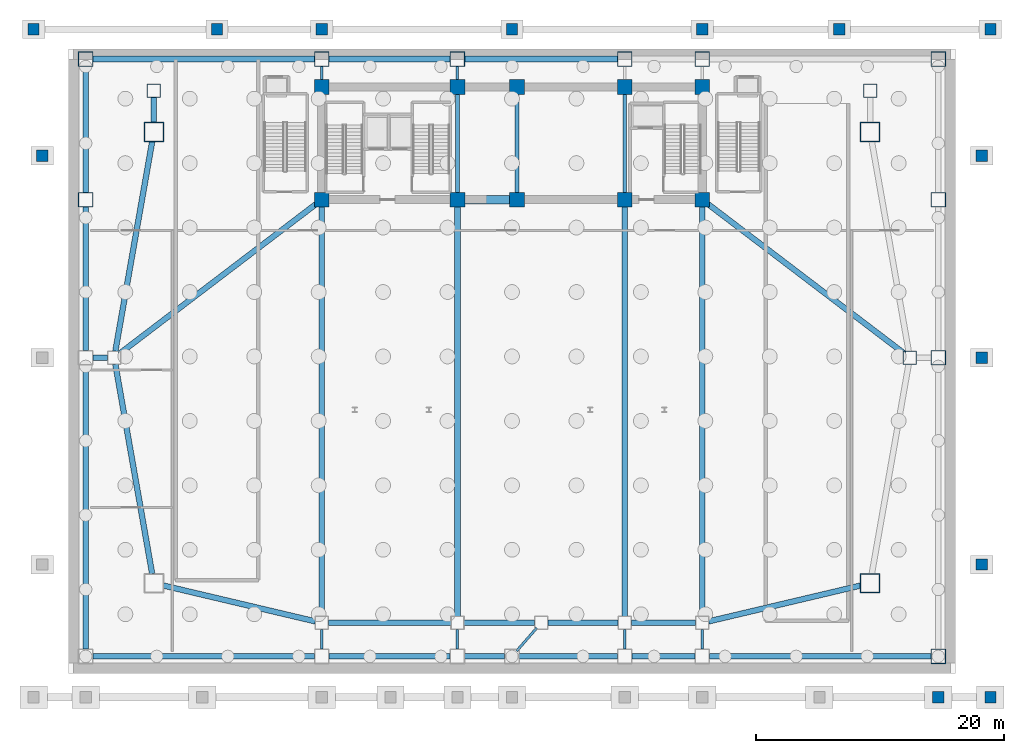
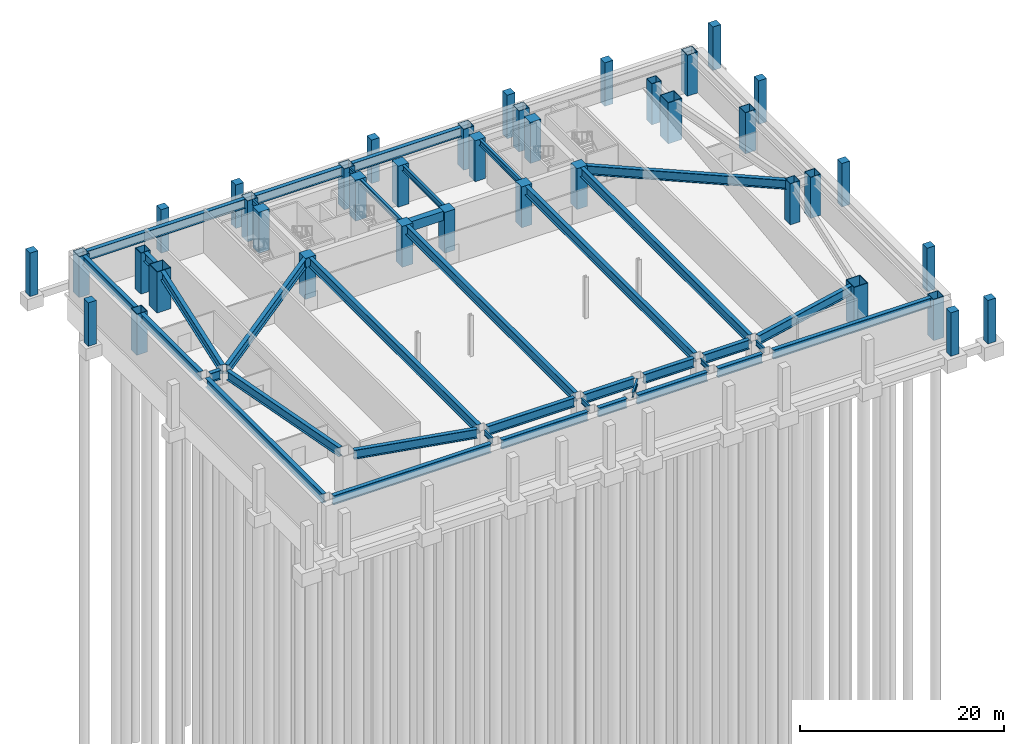
# One storey, part 4 of 10: 39 beams, 39 columns.
"""IFC4 building model written with IfcOpenShell, lengths in metres."""

from ifc_helpers import new_model, si_unit, direction, frame, origin, origin_2d, place, context, subcontext, project, spatial, rectangle, hollow_rectangle, i_section, extrude, source, transform, mapped, material, material_profile, profile_set, type_object, element, save


model = new_model("IFC4")

# Units and contexts
model_context = context("Model", 3, precision=1e-05, world=origin(), true_north=direction((0.0, 1.0)))
body_context = subcontext(model_context, "Body", "Model", "MODEL_VIEW")
ifc_project = project(units=[si_unit("LENGTHUNIT", "METRE"), si_unit("AREAUNIT", "SQUARE_METRE"), si_unit("VOLUMEUNIT", "CUBIC_METRE"), si_unit("PLANEANGLEUNIT", "RADIAN"), si_unit("MASSUNIT", "GRAM", prefix="KILO")], contexts=[model_context])

# Site, building, storey
site_placement = place(None, origin())
site = spatial("IfcSite", under=ifc_project, at=site_placement, CompositionType="ELEMENT")
building_placement = place(site_placement, origin())
building = spatial("IfcBuilding", under=site, at=building_placement, Name="Giltprow Tower", CompositionType="ELEMENT")
storey_placement = place(building_placement, frame((0.0, 0.0, -10.39990234375)))
storey = spatial("IfcBuildingStorey", under=building, at=storey_placement, Name="B02", CompositionType="ELEMENT", Elevation=-10.39990234375)

# Columns
ifc_material_1 = material(Name="Concrete C45", Category="concrete")
ifc_material_profile_1 = material_profile(ifc_material_1, rectangle(XDim=0.89990234375, YDim=0.89990234375, at=origin_2d()), Name="RC 900x900")
ifc_profile_set_1 = profile_set([ifc_material_profile_1], Name="Concrete C45")
column_type_1 = type_object("IfcColumnType", Name="PIL-PIER-RC800", PredefinedType="PILASTER", material=ifc_profile_set_1)
shared_shape_1 = source(origin(), body_context, "Body", "SweptSolid", [
    extrude(rectangle(XDim=0.89990234375, YDim=0.89990234375, at=origin_2d()), origin(), (0.0, 0.0, 1.0), 5.199951171875),
])
for number, where, z_axis, x_axis, name in (
    (1, (69.60009765625, -2.699951171875, 0.0), (0.0, 0.0, 1.0), (1.0, 0.0, 0.0), "Promenade Grade Pier B02-11"),
    (2, (73.800048828125, -2.699951171875, 0.0), (0.0, 0.0, 1.0), (1.0, 0.0, 0.0), "Promenade Grade Pier B02-12"),
    (3, (-2.699951171875, 41.0, 0.0), (0.0, 0.0, 1.0), (1.0, 0.0, 0.0), "W Apron Pier B02-3"),
    (4, (73.10009765625, 8.0, 0.0), (0.0, 0.0, 1.0), (1.0, 0.0, 0.0), "E Apron Pier B02-1"),
    (5, (73.10009765625, 24.699951171875, 0.0), (0.0, 0.0, 1.0), (1.0, 0.0, 0.0), "E Apron Pier B02-2"),
    (6, (73.10009765625, 41.0, 0.0), (0.0, 0.0, 1.0), (1.0, 0.0, 0.0), "E Apron Pier B02-3"),
    (7, (-3.39990234375, 51.199951171875, 0.0), (0.0, 0.0, 1.0), (1.0, 0.0, 0.0), "North Apron Pier B02-01"),
    (8, (11.39990234375, 51.199951171875, 0.0), (0.0, 0.0, 1.0), (1.0, 0.0, 0.0), "North Apron Pier B02-02"),
    (9, (19.85009765625, 51.199951171875, 0.0), (0.0, 0.0, 1.0), (1.0, 0.0, 0.0), "North Apron Pier B02-03"),
    (10, (35.199951171875, 51.199951171875, 0.0), (0.0, 0.0, 1.0), (1.0, 0.0, 0.0), "North Apron Pier B02-04"),
    (11, (50.550048828125, 51.199951171875, 0.0), (0.0, 0.0, 1.0), (1.0, 0.0, 0.0), "North Apron Pier B02-05"),
    (12, (61.60009765625, 51.199951171875, 0.0), (0.0, 0.0, 1.0), (1.0, 0.0, 0.0), "North Apron Pier B02-06"),
    (13, (73.800048828125, 51.199951171875, 0.0), (0.0, 0.0, 1.0), (1.0, 0.0, 0.0), "North Apron Pier B02-07"),
):
    element("IfcColumn", number, at=place(storey_placement, frame(where, z_axis=z_axis, x_axis=x_axis)), inside=storey, type_object=column_type_1, Name=name, PredefinedType="PILASTER", context=body_context, shape_type="MappedRepresentation", body=[
        mapped(shared_shape_1, transform((0.0, 0.0, 0.0), x_axis=(1.0, 0.0, 0.0), y_axis=(0.0, 1.0, 0.0), z_axis=(0.0, 0.0, 1.0), scale=1.0)),
    ])
ifc_material_2 = material(Name="Concrete C60", Category="concrete")
ifc_material_profile_2 = material_profile(ifc_material_2, rectangle(XDim=1.199951171875, YDim=1.199951171875, at=origin_2d()), Name="RC 1200x1200")
ifc_profile_set_2 = profile_set([ifc_material_profile_2], Name="Concrete C60")
column_type_2 = type_object("IfcColumnType", Name="PIL-RC-1200-C60", PredefinedType="PILASTER", material=ifc_profile_set_2)
shared_shape_2 = source(origin(), body_context, "Body", "SweptSolid", [
    extrude(rectangle(XDim=1.199951171875, YDim=1.199951171875, at=origin_2d()), origin(), (0.0, 0.0, 1.0), 4.89990234375),
])
for number, where, z_axis, x_axis, name in (
    (14, (19.85009765625, 37.449951171875, 0.0), (0.0, 0.0, 1.0), (1.0, 0.0, 0.0), "B02 Core Boundary Pilaster 1-1"),
    (15, (19.85009765625, 46.550048828125, 0.0), (0.0, 0.0, 1.0), (1.0, 0.0, 0.0), "B02 Core Boundary Pilaster 1-2"),
    (16, (30.800048828125, 37.449951171875, 0.0), (0.0, 0.0, 1.0), (1.0, 0.0, 0.0), "B02 Core Boundary Pilaster 2-1"),
    (17, (30.800048828125, 46.550048828125, 0.0), (0.0, 0.0, 1.0), (1.0, 0.0, 0.0), "B02 Core Boundary Pilaster 2-2"),
    (18, (35.60009765625, 37.449951171875, 0.0), (0.0, 0.0, 1.0), (1.0, 0.0, 0.0), "B02 Core Boundary Pilaster 3-1"),
    (19, (35.60009765625, 46.550048828125, 0.0), (0.0, 0.0, 1.0), (1.0, 0.0, 0.0), "B02 Core Boundary Pilaster 3-2"),
    (20, (44.300048828125, 37.449951171875, 0.0), (0.0, 0.0, 1.0), (1.0, 0.0, 0.0), "B02 Core Boundary Pilaster 4-1"),
    (21, (44.300048828125, 46.550048828125, 0.0), (0.0, 0.0, 1.0), (1.0, 0.0, 0.0), "B02 Core Boundary Pilaster 4-2"),
    (22, (50.550048828125, 37.449951171875, 0.0), (0.0, 0.0, 1.0), (1.0, 0.0, 0.0), "B02 Core Boundary Pilaster 5-1"),
    (23, (50.550048828125, 46.550048828125, 0.0), (0.0, 0.0, 1.0), (1.0, 0.0, 0.0), "B02 Core Boundary Pilaster 5-2"),
):
    element("IfcColumn", number, at=place(storey_placement, frame(where, z_axis=z_axis, x_axis=x_axis)), inside=storey, type_object=column_type_2, Name=name, PredefinedType="PILASTER", context=body_context, shape_type="MappedRepresentation", body=[
        mapped(shared_shape_2, transform((0.0, 0.0, 0.0), x_axis=(1.0, 0.0, 0.0), y_axis=(0.0, 1.0, 0.0), z_axis=(0.0, 0.0, 1.0), scale=1.0)),
    ])
ifc_material_3 = material(Name="Structural steel Q420GJC", Category="steel")
ifc_material_profile_3 = material_profile(ifc_material_3, hollow_rectangle(XDim=1.60009765625, YDim=1.60009765625, WallThickness=0.074951171875, at=origin_2d()), Name="BOX 1600x1600x75")
ifc_profile_set_3 = profile_set([ifc_material_profile_3], Name="Structural steel Q420GJC")
column_type_3 = type_object("IfcColumnType", Name="COL-BOX-1600x1600x75", PredefinedType="COLUMN", material=ifc_profile_set_3)
shared_shape_3 = source(origin(), body_context, "Body", "SweptSolid", [
    extrude(hollow_rectangle(XDim=1.60009765625, YDim=1.60009765625, WallThickness=0.074951171875, at=origin_2d()), origin(), (0.0, 0.0, 1.0), 4.89990234375),
])
for number, where, z_axis, x_axis, name in (
    (24, (64.10009765625, 6.5, 0.0), (0.0, 0.0, 1.0), (1.0, 0.0, 0.0), "B02 Continuous Tower Column MC_SE"),
    (25, (6.300048828125, 42.89990234375, 0.0), (0.0, 0.0, 1.0), (1.0, 0.0, 0.0), "B02 Continuous Tower Column MC_NW"),
    (26, (64.10009765625, 42.89990234375, 0.0), (0.0, 0.0, 1.0), (1.0, 0.0, 0.0), "B02 Continuous Tower Column MC_NE"),
):
    element("IfcColumn", number, at=place(storey_placement, frame(where, z_axis=z_axis, x_axis=x_axis)), inside=storey, type_object=column_type_3, Name=name, PredefinedType="COLUMN", context=body_context, shape_type="MappedRepresentation", body=[
        mapped(shared_shape_3, transform((0.0, 0.0, 0.0), x_axis=(1.0, 0.0, 0.0), y_axis=(0.0, 1.0, 0.0), z_axis=(0.0, 0.0, 1.0), scale=1.0)),
    ])
ifc_material_profile_4 = material_profile(ifc_material_3, hollow_rectangle(XDim=1.10009765625, YDim=1.10009765625, WallThickness=0.050048828125, at=origin_2d()), Name="BOX 1100x1100x50")
ifc_profile_set_4 = profile_set([ifc_material_profile_4], Name="Structural steel Q420GJC")
column_type_4 = type_object("IfcColumnType", Name="COL-BOX-1100x1100x50", PredefinedType="COLUMN", material=ifc_profile_set_4)
shared_shape_4 = source(origin(), body_context, "Body", "SweptSolid", [
    extrude(hollow_rectangle(XDim=1.10009765625, YDim=1.10009765625, WallThickness=0.050048828125, at=origin_2d()), origin(), (0.0, 0.0, 1.0), 4.89990234375),
])
for number, where, z_axis, x_axis, name in (
    (27, (67.300048828125, 24.699951171875, 0.0), (0.0, 0.0, 1.0), (1.0, 0.0, 0.0), "B02 Continuous Tower Column E_MID"),
    (28, (6.300048828125, 46.25, 0.0), (0.0, 0.0, 1.0), (1.0, 0.0, 0.0), "B02 Continuous Tower Column N_W"),
    (29, (64.10009765625, 46.25, 0.0), (0.0, 0.0, 1.0), (1.0, 0.0, 0.0), "B02 Continuous Tower Column N_E"),
):
    element("IfcColumn", number, at=place(storey_placement, frame(where, z_axis=z_axis, x_axis=x_axis)), inside=storey, type_object=column_type_4, Name=name, PredefinedType="COLUMN", context=body_context, shape_type="MappedRepresentation", body=[
        mapped(shared_shape_4, transform((0.0, 0.0, 0.0), x_axis=(1.0, 0.0, 0.0), y_axis=(0.0, 1.0, 0.0), z_axis=(0.0, 0.0, 1.0), scale=1.0)),
    ])
ifc_material_profile_5 = material_profile(ifc_material_3, hollow_rectangle(XDim=1.199951171875, YDim=1.199951171875, WallThickness=0.054931640625, at=origin_2d()), Name="BOX 1200x1200x55")
ifc_profile_set_5 = profile_set([ifc_material_profile_5], Name="Structural steel Q420GJC")
column_type_5 = type_object("IfcColumnType", Name="COL-BOX-1200x1200x55", PredefinedType="COLUMN", material=ifc_profile_set_5)
shared_shape_5 = source(origin(), body_context, "Body", "SweptSolid", [
    extrude(hollow_rectangle(XDim=1.199951171875, YDim=1.199951171875, WallThickness=0.054931640625, at=origin_2d()), origin(), (0.0, 0.0, 1.0), 4.89990234375),
])
for number, where, z_axis, x_axis, name in (
    (30, (69.60009765625, 0.60009765625, 0.0), (0.0, 0.0, 1.0), (1.0, 0.0, 0.0), "B02 Podium Column (69.6,0.6)"),
    (31, (69.60009765625, 24.699951171875, 0.0), (0.0, 0.0, 1.0), (1.0, 0.0, 0.0), "B02 Podium Column (69.6,24.7)"),
    (32, (0.800048828125, 37.449951171875, 0.0), (0.0, 0.0, 1.0), (1.0, 0.0, 0.0), "B02 Podium Column (0.8,37.5)"),
    (33, (69.60009765625, 37.449951171875, 0.0), (0.0, 0.0, 1.0), (1.0, 0.0, 0.0), "B02 Podium Column (69.6,37.5)"),
    (34, (0.800048828125, 48.800048828125, 0.0), (0.0, 0.0, 1.0), (1.0, 0.0, 0.0), "B02 Podium Column (0.8,48.8)"),
    (35, (19.85009765625, 48.800048828125, 0.0), (0.0, 0.0, 1.0), (1.0, 0.0, 0.0), "B02 Podium Column (19.9,48.8)"),
    (36, (30.800048828125, 48.800048828125, 0.0), (0.0, 0.0, 1.0), (1.0, 0.0, 0.0), "B02 Podium Column (30.8,48.8)"),
    (37, (44.300048828125, 48.800048828125, 0.0), (0.0, 0.0, 1.0), (1.0, 0.0, 0.0), "B02 Podium Column (44.3,48.8)"),
    (38, (50.550048828125, 48.800048828125, 0.0), (0.0, 0.0, 1.0), (1.0, 0.0, 0.0), "B02 Podium Column (50.5,48.8)"),
    (39, (69.60009765625, 48.800048828125, 0.0), (0.0, 0.0, 1.0), (1.0, 0.0, 0.0), "B02 Podium Column (69.6,48.8)"),
):
    element("IfcColumn", number, at=place(storey_placement, frame(where, z_axis=z_axis, x_axis=x_axis)), inside=storey, type_object=column_type_5, Name=name, PredefinedType="COLUMN", context=body_context, shape_type="MappedRepresentation", body=[
        mapped(shared_shape_5, transform((0.0, 0.0, 0.0), x_axis=(1.0, 0.0, 0.0), y_axis=(0.0, 1.0, 0.0), z_axis=(0.0, 0.0, 1.0), scale=1.0)),
    ])

# Beams
ifc_material_profile_6 = material_profile(ifc_material_2, rectangle(XDim=0.699951171875, YDim=1.10009765625, at=origin_2d()), Name="RC 1100x700")
ifc_profile_set_6 = profile_set([ifc_material_profile_6], Name="Concrete C60")
beam_type_1 = type_object("IfcBeamType", Name="BM-CPL-RC1100", PredefinedType="LINTEL", material=ifc_profile_set_6)
shared_shape_6 = source(origin(), body_context, "Body", "SweptSolid", [
    extrude(rectangle(XDim=0.699951171875, YDim=1.10009765625, at=origin_2d()), origin(), (0.0, 0.0, 1.0), 3.6298828125),
])
beam_1_placement = place(storey_placement, frame((31.385009765625, 37.449951171875, 4.349853515625), z_axis=(1.0, 0.0, 0.0), x_axis=(0.0, 1.0, 0.0)))
element("IfcBeam", 40, at=beam_1_placement, inside=storey, type_object=beam_type_1, Name="B02 Core Coupling Beam CB-1", PredefinedType="LINTEL", context=body_context, shape_type="MappedRepresentation", body=[
    mapped(shared_shape_6, transform((0.0, 0.0, 0.0), x_axis=(1.0, 0.0, 0.0), y_axis=(0.0, 1.0, 0.0), z_axis=(0.0, 0.0, 1.0), scale=1.0)),
])
ifc_material_4 = material(Name="Structural steel Q355B", Category="steel")
ifc_material_profile_7 = material_profile(ifc_material_4, i_section(OverallWidth=0.300048828125, OverallDepth=0.699951171875, WebThickness=0.012939453125, FlangeThickness=0.02392578125, at=origin_2d()), Name="HN 700x300x13x24")
ifc_profile_set_7 = profile_set([ifc_material_profile_7], Name="Structural steel Q355B")
beam_type_2 = type_object("IfcBeamType", Name="BM-GIRD-HN700", PredefinedType="BEAM", material=ifc_profile_set_7)
shared_shape_7 = source(origin(), body_context, "Body", "SweptSolid", [
    extrude(i_section(OverallWidth=0.300048828125, OverallDepth=0.699951171875, WebThickness=0.012939453125, FlangeThickness=0.02392578125, at=origin_2d()), origin(), (0.0, 0.0, 1.0), 7.93017578125),
])
for number, where, z_axis, x_axis, name in (
    (41, (30.800048828125, 38.034912109375, 4.5498046875), (0.0, 1.0, 0.0), (-1.0, 0.0, 0.0), "B02 Core Tie Girder M1"),
    (42, (35.60009765625, 38.034912109375, 4.5498046875), (0.0, 1.0, 0.0), (-1.0, 0.0, 0.0), "B02 Core Tie Girder M2"),
    (43, (44.300048828125, 38.034912109375, 4.5498046875), (0.0, 1.0, 0.0), (-1.0, 0.0, 0.0), "B02 Core Tie Girder M3"),
):
    element("IfcBeam", number, at=place(storey_placement, frame(where, z_axis=z_axis, x_axis=x_axis)), inside=storey, type_object=beam_type_2, Name=name, PredefinedType="BEAM", context=body_context, shape_type="MappedRepresentation", body=[
        mapped(shared_shape_7, transform((0.0, 0.0, 0.0), x_axis=(1.0, 0.0, 0.0), y_axis=(0.0, 1.0, 0.0), z_axis=(0.0, 0.0, 1.0), scale=1.0)),
    ])
ifc_material_profile_8 = material_profile(ifc_material_3, i_section(OverallWidth=0.449951171875, OverallDepth=1.10009765625, WebThickness=0.02587890625, FlangeThickness=0.0419921875, at=origin_2d()), Name="WH 1100x450x26x42")
ifc_profile_set_8 = profile_set([ifc_material_profile_8], Name="Structural steel Q420GJC")
beam_type_3 = type_object("IfcBeamType", Name="BM-GIRD-WH1100", PredefinedType="BEAM", material=ifc_profile_set_8)
shared_shape_8 = source(origin(), body_context, "Body", "SweptSolid", [
    extrude(i_section(OverallWidth=0.449951171875, OverallDepth=1.10009765625, WebThickness=0.02587890625, FlangeThickness=0.0419921875, at=origin_2d()), origin(), (0.0, 0.0, 1.0), 17.8798828125),
])
for number, where, z_axis, x_axis, name in (
    (44, (1.385009765625, 0.60009765625, 4.349853515625), (1.0, 0.0, 0.0), (0.0, 1.0, 0.0), "B02 Podium South Edge Girder"),
    (45, (51.135009765625, 0.60009765625, 4.349853515625), (1.0, 0.0, 0.0), (0.0, 1.0, 0.0), "B02 Podium South Edge Girder"),
    (46, (1.385009765625, 48.800048828125, 4.349853515625), (1.0, 0.0, 0.0), (0.0, 1.0, 0.0), "B02 Podium North Edge Girder"),
):
    element("IfcBeam", number, at=place(storey_placement, frame(where, z_axis=z_axis, x_axis=x_axis)), inside=storey, type_object=beam_type_3, Name=name, PredefinedType="BEAM", context=body_context, shape_type="MappedRepresentation", body=[
        mapped(shared_shape_8, transform((0.0, 0.0, 0.0), x_axis=(1.0, 0.0, 0.0), y_axis=(0.0, 1.0, 0.0), z_axis=(0.0, 0.0, 1.0), scale=1.0)),
    ])
shared_shape_9 = source(origin(), body_context, "Body", "SweptSolid", [
    extrude(i_section(OverallWidth=0.449951171875, OverallDepth=1.10009765625, WebThickness=0.02587890625, FlangeThickness=0.0419921875, at=origin_2d()), origin(), (0.0, 0.0, 1.0), 9.780029296875),
])
for number, where, z_axis, x_axis, name in (
    (47, (20.43505859375, 0.60009765625, 4.349853515625), (1.0, 0.0, 0.0), (0.0, 1.0, 0.0), "B02 Podium South Edge Girder"),
    (48, (20.43505859375, 48.800048828125, 4.349853515625), (1.0, 0.0, 0.0), (0.0, 1.0, 0.0), "B02 Podium North Edge Girder"),
):
    element("IfcBeam", number, at=place(storey_placement, frame(where, z_axis=z_axis, x_axis=x_axis)), inside=storey, type_object=beam_type_3, Name=name, PredefinedType="BEAM", context=body_context, shape_type="MappedRepresentation", body=[
        mapped(shared_shape_9, transform((0.0, 0.0, 0.0), x_axis=(1.0, 0.0, 0.0), y_axis=(0.0, 1.0, 0.0), z_axis=(0.0, 0.0, 1.0), scale=1.0)),
    ])
shared_shape_10 = source(origin(), body_context, "Body", "SweptSolid", [
    extrude(i_section(OverallWidth=0.449951171875, OverallDepth=1.10009765625, WebThickness=0.02587890625, FlangeThickness=0.0419921875, at=origin_2d()), origin(), (0.0, 0.0, 1.0), 3.22998046875),
])
beam_2_placement = place(storey_placement, frame((31.385009765625, 0.60009765625, 4.349853515625), z_axis=(1.0, 0.0, 0.0), x_axis=(0.0, 1.0, 0.0)))
element("IfcBeam", 49, at=beam_2_placement, inside=storey, type_object=beam_type_3, Name="B02 Podium South Edge Girder", PredefinedType="BEAM", context=body_context, shape_type="MappedRepresentation", body=[
    mapped(shared_shape_10, transform((0.0, 0.0, 0.0), x_axis=(1.0, 0.0, 0.0), y_axis=(0.0, 1.0, 0.0), z_axis=(0.0, 0.0, 1.0), scale=1.0)),
])
shared_shape_11 = source(origin(), body_context, "Body", "SweptSolid", [
    extrude(i_section(OverallWidth=0.449951171875, OverallDepth=1.10009765625, WebThickness=0.02587890625, FlangeThickness=0.0419921875, at=origin_2d()), origin(), (0.0, 0.0, 1.0), 7.93017578125),
])
beam_3_placement = place(storey_placement, frame((35.784912109375, 0.60009765625, 4.349853515625), z_axis=(1.0, 0.0, 0.0), x_axis=(0.0, 1.0, 0.0)))
element("IfcBeam", 50, at=beam_3_placement, inside=storey, type_object=beam_type_3, Name="B02 Podium South Edge Girder", PredefinedType="BEAM", context=body_context, shape_type="MappedRepresentation", body=[
    mapped(shared_shape_11, transform((0.0, 0.0, 0.0), x_axis=(1.0, 0.0, 0.0), y_axis=(0.0, 1.0, 0.0), z_axis=(0.0, 0.0, 1.0), scale=1.0)),
])
shared_shape_12 = source(origin(), body_context, "Body", "SweptSolid", [
    extrude(i_section(OverallWidth=0.449951171875, OverallDepth=1.10009765625, WebThickness=0.02587890625, FlangeThickness=0.0419921875, at=origin_2d()), origin(), (0.0, 0.0, 1.0), 5.080078125),
])
beam_4_placement = place(storey_placement, frame((44.885009765625, 0.60009765625, 4.349853515625), z_axis=(1.0, 0.0, 0.0), x_axis=(0.0, 1.0, 0.0)))
element("IfcBeam", 51, at=beam_4_placement, inside=storey, type_object=beam_type_3, Name="B02 Podium South Edge Girder", PredefinedType="BEAM", context=body_context, shape_type="MappedRepresentation", body=[
    mapped(shared_shape_12, transform((0.0, 0.0, 0.0), x_axis=(1.0, 0.0, 0.0), y_axis=(0.0, 1.0, 0.0), z_axis=(0.0, 0.0, 1.0), scale=1.0)),
])
shared_shape_13 = source(origin(), body_context, "Body", "SweptSolid", [
    extrude(i_section(OverallWidth=0.449951171875, OverallDepth=1.10009765625, WebThickness=0.02587890625, FlangeThickness=0.0419921875, at=origin_2d()), origin(), (0.0, 0.0, 1.0), 12.330078125),
])
beam_5_placement = place(storey_placement, frame((31.385009765625, 48.800048828125, 4.349853515625), z_axis=(1.0, 0.0, 0.0), x_axis=(0.0, 1.0, 0.0)))
element("IfcBeam", 52, at=beam_5_placement, inside=storey, type_object=beam_type_3, Name="B02 Podium North Edge Girder", PredefinedType="BEAM", context=body_context, shape_type="MappedRepresentation", body=[
    mapped(shared_shape_13, transform((0.0, 0.0, 0.0), x_axis=(1.0, 0.0, 0.0), y_axis=(0.0, 1.0, 0.0), z_axis=(0.0, 0.0, 1.0), scale=1.0)),
])
shared_shape_14 = source(origin(), body_context, "Body", "SweptSolid", [
    extrude(i_section(OverallWidth=0.449951171875, OverallDepth=1.10009765625, WebThickness=0.02587890625, FlangeThickness=0.0419921875, at=origin_2d()), origin(), (0.0, 0.0, 1.0), 22.929931640625),
])
beam_6_placement = place(storey_placement, frame((0.800048828125, 1.18505859375, 4.349853515625), z_axis=(0.0, 1.0, 0.0), x_axis=(-1.0, 0.0, 0.0)))
element("IfcBeam", 53, at=beam_6_placement, inside=storey, type_object=beam_type_3, Name="B02 Podium Side Girder", PredefinedType="BEAM", context=body_context, shape_type="MappedRepresentation", body=[
    mapped(shared_shape_14, transform((0.0, 0.0, 0.0), x_axis=(1.0, 0.0, 0.0), y_axis=(0.0, 1.0, 0.0), z_axis=(0.0, 0.0, 1.0), scale=1.0)),
])
shared_shape_15 = source(origin(), body_context, "Body", "SweptSolid", [
    extrude(i_section(OverallWidth=0.449951171875, OverallDepth=1.10009765625, WebThickness=0.02587890625, FlangeThickness=0.0419921875, at=origin_2d()), origin(), (0.0, 0.0, 1.0), 11.580078125),
])
beam_7_placement = place(storey_placement, frame((0.800048828125, 25.284912109375, 4.349853515625), z_axis=(0.0, 1.0, 0.0), x_axis=(-1.0, 0.0, 0.0)))
element("IfcBeam", 54, at=beam_7_placement, inside=storey, type_object=beam_type_3, Name="B02 Podium Side Girder", PredefinedType="BEAM", context=body_context, shape_type="MappedRepresentation", body=[
    mapped(shared_shape_15, transform((0.0, 0.0, 0.0), x_axis=(1.0, 0.0, 0.0), y_axis=(0.0, 1.0, 0.0), z_axis=(0.0, 0.0, 1.0), scale=1.0)),
])
shared_shape_16 = source(origin(), body_context, "Body", "SweptSolid", [
    extrude(i_section(OverallWidth=0.449951171875, OverallDepth=1.10009765625, WebThickness=0.02587890625, FlangeThickness=0.0419921875, at=origin_2d()), origin(), (0.0, 0.0, 1.0), 10.18017578125),
])
beam_8_placement = place(storey_placement, frame((0.800048828125, 38.034912109375, 4.349853515625), z_axis=(0.0, 1.0, 0.0), x_axis=(-1.0, 0.0, 0.0)))
element("IfcBeam", 55, at=beam_8_placement, inside=storey, type_object=beam_type_3, Name="B02 Podium Side Girder", PredefinedType="BEAM", context=body_context, shape_type="MappedRepresentation", body=[
    mapped(shared_shape_16, transform((0.0, 0.0, 0.0), x_axis=(1.0, 0.0, 0.0), y_axis=(0.0, 1.0, 0.0), z_axis=(0.0, 0.0, 1.0), scale=1.0)),
])
shared_shape_17 = source(origin(), body_context, "Body", "SweptSolid", [
    extrude(i_section(OverallWidth=0.449951171875, OverallDepth=1.10009765625, WebThickness=0.02587890625, FlangeThickness=0.0419921875, at=origin_2d()), origin(), (0.0, 0.0, 1.0), 12.6025390625),
])
beam_9_placement = place(storey_placement, frame((7.06396484375, 6.320068359375, 4.349853515625), z_axis=(0.973221185684, -0.22987066741, 0.0), x_axis=(0.22987066741, 0.973221185684, 0.0)))
element("IfcBeam", 56, at=beam_9_placement, inside=storey, type_object=beam_type_3, Name="B02 Tower Base Ring Girder 1", PredefinedType="BEAM", context=body_context, shape_type="MappedRepresentation", body=[
    mapped(shared_shape_17, transform((0.0, 0.0, 0.0), x_axis=(1.0, 0.0, 0.0), y_axis=(0.0, 1.0, 0.0), z_axis=(0.0, 0.0, 1.0), scale=1.0)),
])
shared_shape_18 = source(origin(), body_context, "Body", "SweptSolid", [
    extrude(i_section(OverallWidth=0.449951171875, OverallDepth=1.10009765625, WebThickness=0.02587890625, FlangeThickness=0.0419921875, at=origin_2d()), origin(), (0.0, 0.0, 1.0), 9.8798828125),
])
beam_10_placement = place(storey_placement, frame((20.385009765625, 3.300048828125, 4.349853515625), z_axis=(1.0, 0.0, 0.0), x_axis=(0.0, 1.0, 0.0)))
element("IfcBeam", 57, at=beam_10_placement, inside=storey, type_object=beam_type_3, Name="B02 Tower Base Ring Girder 2", PredefinedType="BEAM", context=body_context, shape_type="MappedRepresentation", body=[
    mapped(shared_shape_18, transform((0.0, 0.0, 0.0), x_axis=(1.0, 0.0, 0.0), y_axis=(0.0, 1.0, 0.0), z_axis=(0.0, 0.0, 1.0), scale=1.0)),
])
shared_shape_19 = source(origin(), body_context, "Body", "SweptSolid", [
    extrude(i_section(OverallWidth=0.449951171875, OverallDepth=1.10009765625, WebThickness=0.02587890625, FlangeThickness=0.0419921875, at=origin_2d()), origin(), (0.0, 0.0, 1.0), 5.679931640625),
])
for number, where, z_axis, x_axis, name in (
    (58, (31.3349609375, 3.300048828125, 4.349853515625), (1.0, 0.0, 0.0), (0.0, 1.0, 0.0), "B02 Tower Base Ring Girder 3"),
    (59, (38.0849609375, 3.300048828125, 4.349853515625), (1.0, 0.0, 0.0), (0.0, 1.0, 0.0), "B02 Tower Base Ring Girder 4"),
):
    element("IfcBeam", number, at=place(storey_placement, frame(where, z_axis=z_axis, x_axis=x_axis)), inside=storey, type_object=beam_type_3, Name=name, PredefinedType="BEAM", context=body_context, shape_type="MappedRepresentation", body=[
        mapped(shared_shape_19, transform((0.0, 0.0, 0.0), x_axis=(1.0, 0.0, 0.0), y_axis=(0.0, 1.0, 0.0), z_axis=(0.0, 0.0, 1.0), scale=1.0)),
    ])
shared_shape_20 = source(origin(), body_context, "Body", "SweptSolid", [
    extrude(i_section(OverallWidth=0.449951171875, OverallDepth=1.10009765625, WebThickness=0.02587890625, FlangeThickness=0.0419921875, at=origin_2d()), origin(), (0.0, 0.0, 1.0), 5.179931640625),
])
beam_11_placement = place(storey_placement, frame((44.8349609375, 3.300048828125, 4.349853515625), z_axis=(1.0, 0.0, 0.0), x_axis=(0.0, 1.0, 0.0)))
element("IfcBeam", 60, at=beam_11_placement, inside=storey, type_object=beam_type_3, Name="B02 Tower Base Ring Girder 5", PredefinedType="BEAM", context=body_context, shape_type="MappedRepresentation", body=[
    mapped(shared_shape_20, transform((0.0, 0.0, 0.0), x_axis=(1.0, 0.0, 0.0), y_axis=(0.0, 1.0, 0.0), z_axis=(0.0, 0.0, 1.0), scale=1.0)),
])
shared_shape_21 = source(origin(), body_context, "Body", "SweptSolid", [
    extrude(i_section(OverallWidth=0.449951171875, OverallDepth=1.10009765625, WebThickness=0.02587890625, FlangeThickness=0.0419921875, at=origin_2d()), origin(), (0.0, 0.0, 1.0), 12.602294921875),
])
beam_12_placement = place(storey_placement, frame((51.071044921875, 3.423095703125, 4.349853515625), z_axis=(0.973220162017, 0.229875001344, 0.0), x_axis=(-0.229875001344, 0.973220162017, 0.0)))
element("IfcBeam", 61, at=beam_12_placement, inside=storey, type_object=beam_type_3, Name="B02 Tower Base Ring Girder 6", PredefinedType="BEAM", context=body_context, shape_type="MappedRepresentation", body=[
    mapped(shared_shape_21, transform((0.0, 0.0, 0.0), x_axis=(1.0, 0.0, 0.0), y_axis=(0.0, 1.0, 0.0), z_axis=(0.0, 0.0, 1.0), scale=1.0)),
])
shared_shape_22 = source(origin(), body_context, "Body", "SweptSolid", [
    extrude(i_section(OverallWidth=0.449951171875, OverallDepth=1.10009765625, WebThickness=0.02587890625, FlangeThickness=0.0419921875, at=origin_2d()), origin(), (0.0, 0.0, 1.0), 17.1591796875),
])
beam_13_placement = place(storey_placement, frame((3.193115234375, 24.173095703125, 4.349853515625), z_axis=(0.173139216532, -0.984897360997, 0.0), x_axis=(0.984897360997, 0.173139216532, 0.0)))
element("IfcBeam", 62, at=beam_13_placement, inside=storey, type_object=beam_type_3, Name="B02 Tower Base Ring Girder 12", PredefinedType="BEAM", context=body_context, shape_type="MappedRepresentation", body=[
    mapped(shared_shape_22, transform((0.0, 0.0, 0.0), x_axis=(1.0, 0.0, 0.0), y_axis=(0.0, 1.0, 0.0), z_axis=(0.0, 0.0, 1.0), scale=1.0)),
])
shared_shape_23 = source(origin(), body_context, "Body", "SweptSolid", [
    extrude(i_section(OverallWidth=0.449951171875, OverallDepth=1.10009765625, WebThickness=0.02587890625, FlangeThickness=0.0419921875, at=origin_2d()), origin(), (0.0, 0.0, 1.0), 17.158935546875),
])
beam_14_placement = place(storey_placement, frame((6.1640625, 42.126953125, 4.349853515625), z_axis=(-0.173141642767, -0.984896934476, 0.0), x_axis=(0.984896934476, -0.173141642767, 0.0)))
element("IfcBeam", 63, at=beam_14_placement, inside=storey, type_object=beam_type_3, Name="B02 Tower Base Ring Girder 11", PredefinedType="BEAM", context=body_context, shape_type="MappedRepresentation", body=[
    mapped(shared_shape_23, transform((0.0, 0.0, 0.0), x_axis=(1.0, 0.0, 0.0), y_axis=(0.0, 1.0, 0.0), z_axis=(0.0, 0.0, 1.0), scale=1.0)),
])
shared_shape_24 = source(origin(), body_context, "Body", "SweptSolid", [
    extrude(i_section(OverallWidth=0.449951171875, OverallDepth=1.10009765625, WebThickness=0.02587890625, FlangeThickness=0.0419921875, at=origin_2d()), origin(), (0.0, 0.0, 1.0), 2.030029296875),
])
beam_15_placement = place(storey_placement, frame((6.300048828125, 45.715087890625, 4.349853515625), z_axis=(0.0, -1.0, 0.0), x_axis=(1.0, 0.0, 0.0)))
element("IfcBeam", 64, at=beam_15_placement, inside=storey, type_object=beam_type_3, Name="B02 Tower Base Ring Girder 10", PredefinedType="BEAM", context=body_context, shape_type="MappedRepresentation", body=[
    mapped(shared_shape_24, transform((0.0, 0.0, 0.0), x_axis=(1.0, 0.0, 0.0), y_axis=(0.0, 1.0, 0.0), z_axis=(0.0, 0.0, 1.0), scale=1.0)),
])
shared_shape_25 = source(origin(), body_context, "Body", "SweptSolid", [
    extrude(i_section(OverallWidth=0.449951171875, OverallDepth=1.10009765625, WebThickness=0.02587890625, FlangeThickness=0.0419921875, at=origin_2d()), origin(), (0.0, 0.0, 1.0), 33.030029296875),
])
for number, where, z_axis, x_axis, name in (
    (65, (19.85009765625, 3.8349609375, 4.349853515625), (0.0, 1.0, 0.0), (-1.0, 0.0, 0.0), "B02 Primary Podium Span Girder S1"),
    (66, (30.800048828125, 3.8349609375, 4.349853515625), (0.0, 1.0, 0.0), (-1.0, 0.0, 0.0), "B02 Primary Podium Span Girder S2"),
    (67, (44.300048828125, 3.8349609375, 4.349853515625), (0.0, 1.0, 0.0), (-1.0, 0.0, 0.0), "B02 Primary Podium Span Girder S3"),
    (68, (50.550048828125, 3.8349609375, 4.349853515625), (0.0, 1.0, 0.0), (-1.0, 0.0, 0.0), "B02 Primary Podium Span Girder S4"),
):
    element("IfcBeam", number, at=place(storey_placement, frame(where, z_axis=z_axis, x_axis=x_axis)), inside=storey, type_object=beam_type_3, Name=name, PredefinedType="BEAM", context=body_context, shape_type="MappedRepresentation", body=[
        mapped(shared_shape_25, transform((0.0, 0.0, 0.0), x_axis=(1.0, 0.0, 0.0), y_axis=(0.0, 1.0, 0.0), z_axis=(0.0, 0.0, 1.0), scale=1.0)),
    ])
ifc_material_profile_9 = material_profile(ifc_material_4, i_section(OverallWidth=0.199951171875, OverallDepth=0.60009765625, WebThickness=0.010986328125, FlangeThickness=0.01708984375, at=origin_2d()), Name="HN 600x200x11x17")
ifc_profile_set_9 = profile_set([ifc_material_profile_9], Name="Structural steel Q355B")
beam_type_4 = type_object("IfcBeamType", Name="BM-GIRD-HN600", PredefinedType="BEAM", material=ifc_profile_set_9)
shared_shape_26 = source(origin(), body_context, "Body", "SweptSolid", [
    extrude(i_section(OverallWidth=0.199951171875, OverallDepth=0.60009765625, WebThickness=0.010986328125, FlangeThickness=0.01708984375, at=origin_2d()), origin(), (0.0, 0.0, 1.0), 1.579833984375),
])
for number, where, z_axis, x_axis, name in (
    (69, (19.85009765625, 1.18505859375, 4.599853515625), (0.0, 1.0, 0.0), (-1.0, 0.0, 0.0), "B02 South Perimeter Tie S1"),
    (70, (30.800048828125, 1.18505859375, 4.599853515625), (0.0, 1.0, 0.0), (-1.0, 0.0, 0.0), "B02 South Perimeter Tie S2"),
    (71, (44.300048828125, 1.18505859375, 4.599853515625), (0.0, 1.0, 0.0), (-1.0, 0.0, 0.0), "B02 South Perimeter Tie S3"),
    (72, (50.550048828125, 1.18505859375, 4.599853515625), (0.0, 1.0, 0.0), (-1.0, 0.0, 0.0), "B02 South Perimeter Tie S4"),
):
    element("IfcBeam", number, at=place(storey_placement, frame(where, z_axis=z_axis, x_axis=x_axis)), inside=storey, type_object=beam_type_4, Name=name, PredefinedType="BEAM", context=body_context, shape_type="MappedRepresentation", body=[
        mapped(shared_shape_26, transform((0.0, 0.0, 0.0), x_axis=(1.0, 0.0, 0.0), y_axis=(0.0, 1.0, 0.0), z_axis=(0.0, 0.0, 1.0), scale=1.0)),
    ])
shared_shape_27 = source(origin(), body_context, "Body", "SweptSolid", [
    extrude(i_section(OverallWidth=0.199951171875, OverallDepth=0.60009765625, WebThickness=0.010986328125, FlangeThickness=0.01708984375, at=origin_2d()), origin(), (0.0, 0.0, 1.0), 1.080078125),
])
for number, where, z_axis, x_axis, name in (
    (73, (19.85009765625, 47.135009765625, 4.599853515625), (0.0, 1.0, 0.0), (-1.0, 0.0, 0.0), "B02 North Perimeter Tie S1"),
    (74, (30.800048828125, 47.135009765625, 4.599853515625), (0.0, 1.0, 0.0), (-1.0, 0.0, 0.0), "B02 North Perimeter Tie S2"),
):
    element("IfcBeam", number, at=place(storey_placement, frame(where, z_axis=z_axis, x_axis=x_axis)), inside=storey, type_object=beam_type_4, Name=name, PredefinedType="BEAM", context=body_context, shape_type="MappedRepresentation", body=[
        mapped(shared_shape_27, transform((0.0, 0.0, 0.0), x_axis=(1.0, 0.0, 0.0), y_axis=(0.0, 1.0, 0.0), z_axis=(0.0, 0.0, 1.0), scale=1.0)),
    ])
shared_shape_28 = source(origin(), body_context, "Body", "SweptSolid", [
    extrude(i_section(OverallWidth=0.199951171875, OverallDepth=0.60009765625, WebThickness=0.010986328125, FlangeThickness=0.01708984375, at=origin_2d()), origin(), (0.0, 0.0, 1.0), 2.45947265625),
])
beam_16_placement = place(storey_placement, frame((35.583984375, 1.041015625, 4.599853515625), z_axis=(0.656633245485, 0.754210037671, 0.0), x_axis=(-0.754210037671, 0.656633245485, 0.0)))
element("IfcBeam", 75, at=beam_16_placement, inside=storey, type_object=beam_type_4, Name="B02 South Mid Tie", PredefinedType="BEAM", context=body_context, shape_type="MappedRepresentation", body=[
    mapped(shared_shape_28, transform((0.0, 0.0, 0.0), x_axis=(1.0, 0.0, 0.0), y_axis=(0.0, 1.0, 0.0), z_axis=(0.0, 0.0, 1.0), scale=1.0)),
])
shared_shape_29 = source(origin(), body_context, "Body", "SweptSolid", [
    extrude(i_section(OverallWidth=0.449951171875, OverallDepth=1.10009765625, WebThickness=0.02587890625, FlangeThickness=0.0419921875, at=origin_2d()), origin(), (0.0, 0.0, 1.0), 1.179931640625),
])
beam_17_placement = place(storey_placement, frame((1.385009765625, 24.699951171875, 4.349853515625), z_axis=(1.0, 0.0, 0.0), x_axis=(0.0, 1.0, 0.0)))
element("IfcBeam", 76, at=beam_17_placement, inside=storey, type_object=beam_type_3, Name="B02 West Tie 1", PredefinedType="BEAM", context=body_context, shape_type="MappedRepresentation", body=[
    mapped(shared_shape_29, transform((0.0, 0.0, 0.0), x_axis=(1.0, 0.0, 0.0), y_axis=(0.0, 1.0, 0.0), z_axis=(0.0, 0.0, 1.0), scale=1.0)),
])
shared_shape_30 = source(origin(), body_context, "Body", "SweptSolid", [
    extrude(i_section(OverallWidth=0.449951171875, OverallDepth=1.10009765625, WebThickness=0.02587890625, FlangeThickness=0.0419921875, at=origin_2d()), origin(), (0.0, 0.0, 1.0), 19.930908203125),
])
for number, where, z_axis, x_axis, name in (
    (77, (3.52587890625, 25.02392578125, 4.349853515625), (0.795700739064, 0.605689965124, 0.0), (-0.605689965124, 0.795700739064, 0.0), "B02 West Tie 2"),
    (78, (51.014892578125, 37.095947265625, 4.349853515625), (0.795700739064, -0.605689965124, 0.0), (0.605689965124, 0.795700739064, 0.0), "B02 East Tie 2"),
):
    element("IfcBeam", number, at=place(storey_placement, frame(where, z_axis=z_axis, x_axis=x_axis)), inside=storey, type_object=beam_type_3, Name=name, PredefinedType="BEAM", context=body_context, shape_type="MappedRepresentation", body=[
        mapped(shared_shape_30, transform((0.0, 0.0, 0.0), x_axis=(1.0, 0.0, 0.0), y_axis=(0.0, 1.0, 0.0), z_axis=(0.0, 0.0, 1.0), scale=1.0)),
    ])

save(model, "model.ifc")
